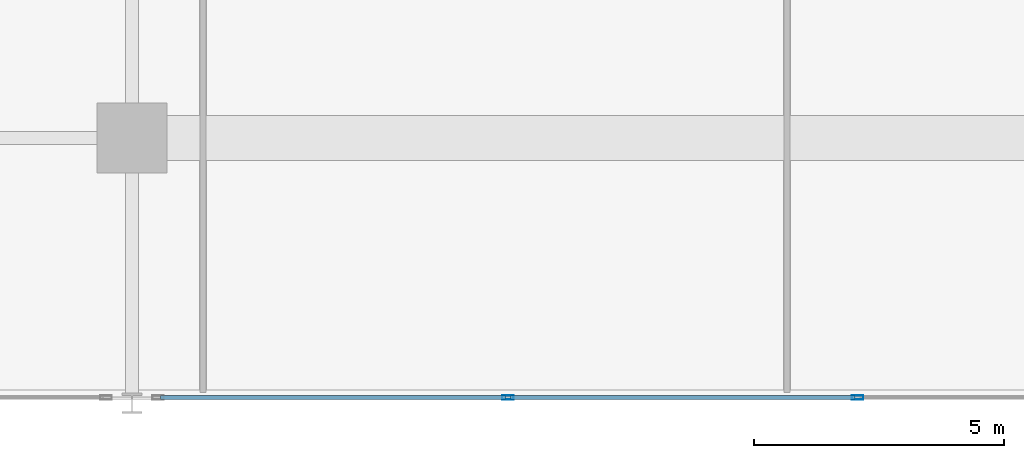
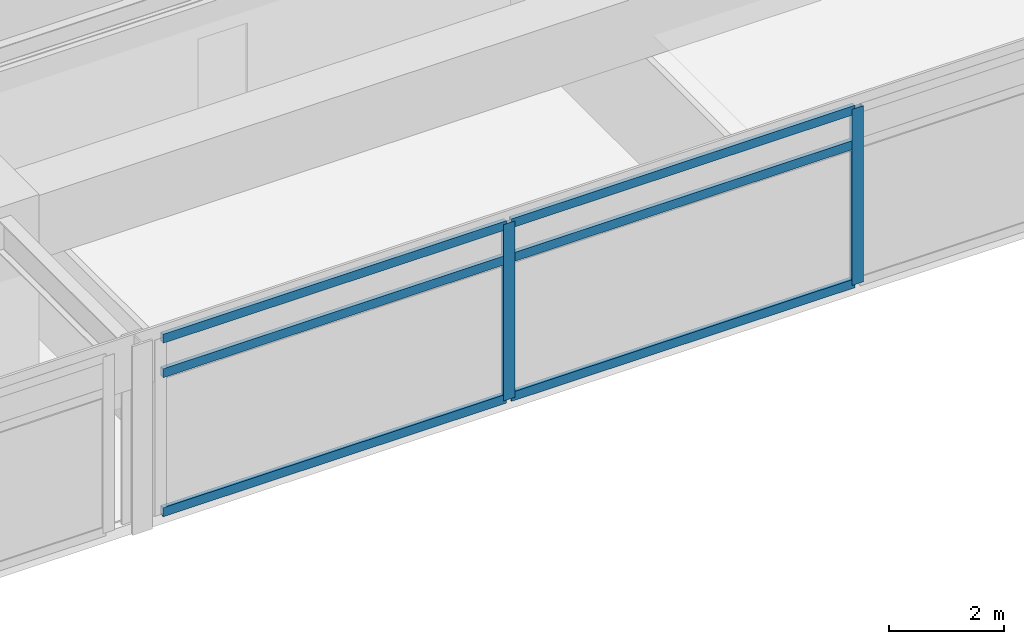
# One storey, part 4 of 20: 8 members, 1 element without a shape of its own.
"""IFC4 building model written with IfcOpenShell, lengths in metres."""

from ifc_helpers import new_model, si_unit, direction, frame, origin, origin_2d, place, context, subcontext, project, spatial, hollow_rectangle, extrude, material, material_profile, profile_set, type_object, element, aggregate, save


model = new_model("IFC4")

# Units and contexts
model_context = context("Model", 3, precision=1e-05, world=origin(), true_north=direction((0.0, 1.0)))
body_context = subcontext(model_context, "Body", "Model", "MODEL_VIEW")
ifc_project = project(units=[si_unit("LENGTHUNIT", "METRE"), si_unit("AREAUNIT", "SQUARE_METRE"), si_unit("VOLUMEUNIT", "CUBIC_METRE"), si_unit("PLANEANGLEUNIT", "RADIAN"), si_unit("MASSUNIT", "GRAM", prefix="KILO")], contexts=[model_context])

# Site, building, storey
site_placement = place(None, origin())
site = spatial("IfcSite", under=ifc_project, at=site_placement, CompositionType="ELEMENT")
building_placement = place(site_placement, origin())
building = spatial("IfcBuilding", under=site, at=building_placement, Name="Kovane Verandah Tower", CompositionType="ELEMENT")
storey_placement = place(building_placement, frame((0.0, 0.0, 213.199951171875)))
storey = spatial("IfcBuildingStorey", under=building, at=storey_placement, Name="L49", CompositionType="ELEMENT", Elevation=213.199951171875)

# Curtain wall, members
ifc_material_1 = material(Name="Champagne Anodised Aluminium Frame with Low-E Clear Laminated Glass", Category="aluminium")
curtain_wall_type = type_object("IfcCurtainWallType", Name="CW-SYS-03-MID", PredefinedType="NOTDEFINED", material=ifc_material_1)
curtain_wall_placement = place(storey_placement, origin())
curtain_wall = element("IfcCurtainWall", 1, at=curtain_wall_placement, inside=storey, type_object=curtain_wall_type, Name="L49 S Unitised Curtain Wall-2", PredefinedType="NOTDEFINED")
ifc_material_2 = material(Name="Champagne Anodised Aluminium 6063-T6", Category="aluminium")
ifc_material_profile_1 = material_profile(ifc_material_2, hollow_rectangle(XDim=0.0849609375, YDim=0.22998046875, WallThickness=0.00390625, at=origin_2d()), Name="AL85x230x4")
ifc_profile_set_1 = profile_set([ifc_material_profile_1], Name="Champagne Anodised Aluminium 6063-T6")
member_type_1 = type_object("IfcMemberType", Name="CW-MUL-85x230", PredefinedType="MULLION", material=ifc_profile_set_1)
member_1_placement = place(storey_placement, frame((36.506591796875, 5.619384765625, 0.02001953125), z_axis=(0.0, 0.0, 1.0), x_axis=(0.0, -1.0, 0.0)))
member_1 = element("IfcMember", 2, at=member_1_placement, type_object=member_type_1, Name="L49 S Unitised Curtain Wall-2 Mullion 2", PredefinedType="MULLION", context=body_context, shape_type="SweptSolid", body=[
    extrude(hollow_rectangle(XDim=0.0849609375, YDim=0.22998046875, WallThickness=0.00390625, at=origin_2d()), origin(), (0.0, 0.0, 1.0), 3.735107421875),
])
member_2_placement = place(storey_placement, frame((43.493408203125, 5.619384765625, 0.02001953125), z_axis=(0.0, 0.0, 1.0), x_axis=(0.0, -1.0, 0.0)))
member_2 = element("IfcMember", 3, at=member_2_placement, type_object=member_type_1, Name="L49 S Unitised Curtain Wall-2 Mullion 3", PredefinedType="MULLION", context=body_context, shape_type="SweptSolid", body=[
    extrude(hollow_rectangle(XDim=0.0849609375, YDim=0.22998046875, WallThickness=0.00390625, at=origin_2d()), origin(), (0.0, 0.0, 1.0), 3.735107421875),
])
ifc_material_profile_2 = material_profile(ifc_material_2, hollow_rectangle(XDim=0.0849609375, YDim=0.18994140625, WallThickness=0.00390625, at=origin_2d()), Name="AL85x190x4")
ifc_profile_set_2 = profile_set([ifc_material_profile_2], Name="Champagne Anodised Aluminium 6063-T6")
member_type_2 = type_object("IfcMemberType", Name="CW-TRN-85x190", PredefinedType="USERDEFINED", material=ifc_profile_set_2)
member_3_placement = place(storey_placement, frame((29.570068359375, 5.619384765625, 0.050048828125), z_axis=(1.0, 0.0, 0.0), x_axis=(0.0, 1.0, 0.0)))
member_3 = element("IfcMember", 4, at=member_3_placement, type_object=member_type_2, Name="L49 S Unitised Curtain Wall-2 Transom TB Bay 1", ObjectType="TRANSOM", PredefinedType="USERDEFINED", context=body_context, shape_type="SweptSolid", body=[
    extrude(hollow_rectangle(XDim=0.0849609375, YDim=0.18994140625, WallThickness=0.00390625, at=origin_2d()), origin(), (0.0, 0.0, 1.0), 6.88671875),
])
member_4_placement = place(storey_placement, frame((29.570068359375, 5.619384765625, 2.9951171875), z_axis=(1.0, 0.0, 0.0), x_axis=(0.0, 1.0, 0.0)))
member_4 = element("IfcMember", 5, at=member_4_placement, type_object=member_type_2, Name="L49 S Unitised Curtain Wall-2 Transom TM Bay 1", ObjectType="TRANSOM", PredefinedType="USERDEFINED", context=body_context, shape_type="SweptSolid", body=[
    extrude(hollow_rectangle(XDim=0.0849609375, YDim=0.18994140625, WallThickness=0.00390625, at=origin_2d()), origin(), (0.0, 0.0, 1.0), 6.88671875),
])
member_5_placement = place(storey_placement, frame((29.570068359375, 5.619384765625, 3.72509765625), z_axis=(1.0, 0.0, 0.0), x_axis=(0.0, 1.0, 0.0)))
member_5 = element("IfcMember", 6, at=member_5_placement, type_object=member_type_2, Name="L49 S Unitised Curtain Wall-2 Transom TT Bay 1", ObjectType="TRANSOM", PredefinedType="USERDEFINED", context=body_context, shape_type="SweptSolid", body=[
    extrude(hollow_rectangle(XDim=0.0849609375, YDim=0.18994140625, WallThickness=0.00390625, at=origin_2d()), origin(), (0.0, 0.0, 1.0), 6.88671875),
])
member_6_placement = place(storey_placement, frame((36.556640625, 5.619384765625, 0.050048828125), z_axis=(1.0, 0.0, 0.0), x_axis=(0.0, 1.0, 0.0)))
member_6 = element("IfcMember", 7, at=member_6_placement, type_object=member_type_2, Name="L49 S Unitised Curtain Wall-2 Transom TB Bay 2", ObjectType="TRANSOM", PredefinedType="USERDEFINED", context=body_context, shape_type="SweptSolid", body=[
    extrude(hollow_rectangle(XDim=0.0849609375, YDim=0.18994140625, WallThickness=0.00390625, at=origin_2d()), origin(), (0.0, 0.0, 1.0), 6.88671875),
])
member_7_placement = place(storey_placement, frame((36.556640625, 5.619384765625, 2.9951171875), z_axis=(1.0, 0.0, 0.0), x_axis=(0.0, 1.0, 0.0)))
member_7 = element("IfcMember", 8, at=member_7_placement, type_object=member_type_2, Name="L49 S Unitised Curtain Wall-2 Transom TM Bay 2", ObjectType="TRANSOM", PredefinedType="USERDEFINED", context=body_context, shape_type="SweptSolid", body=[
    extrude(hollow_rectangle(XDim=0.0849609375, YDim=0.18994140625, WallThickness=0.00390625, at=origin_2d()), origin(), (0.0, 0.0, 1.0), 6.88671875),
])
member_8_placement = place(storey_placement, frame((36.556640625, 5.619384765625, 3.72509765625), z_axis=(1.0, 0.0, 0.0), x_axis=(0.0, 1.0, 0.0)))
member_8 = element("IfcMember", 9, at=member_8_placement, type_object=member_type_2, Name="L49 S Unitised Curtain Wall-2 Transom TT Bay 2", ObjectType="TRANSOM", PredefinedType="USERDEFINED", context=body_context, shape_type="SweptSolid", body=[
    extrude(hollow_rectangle(XDim=0.0849609375, YDim=0.18994140625, WallThickness=0.00390625, at=origin_2d()), origin(), (0.0, 0.0, 1.0), 6.88671875),
])
aggregate(curtain_wall, [member_1, member_2, member_3, member_4, member_5, member_6, member_7, member_8])

save(model, "model.ifc")
